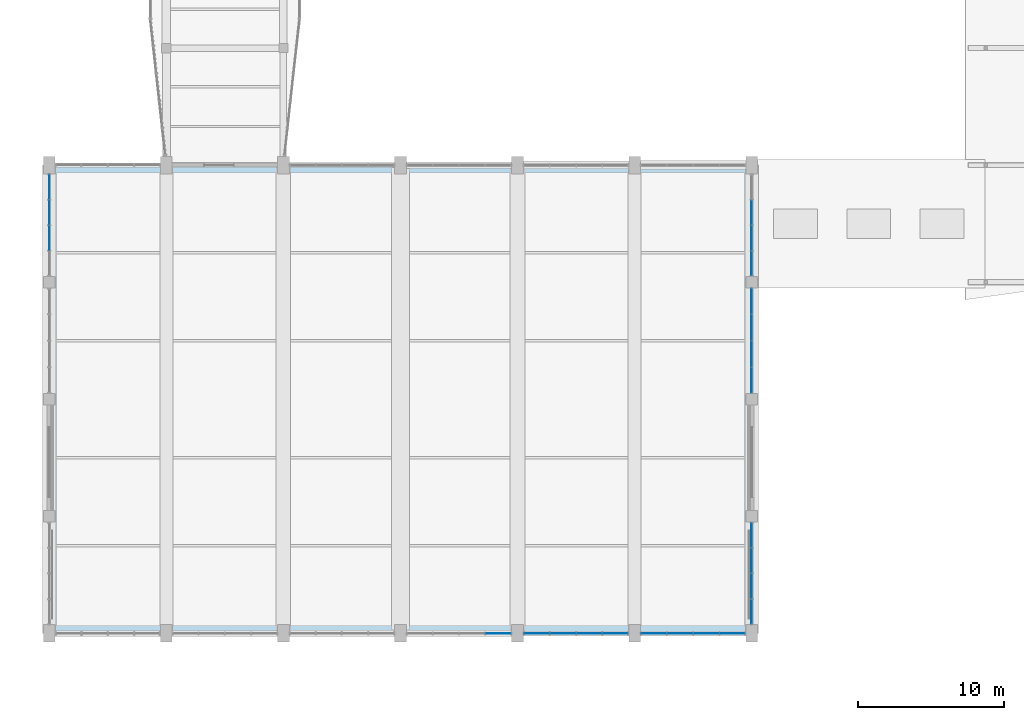
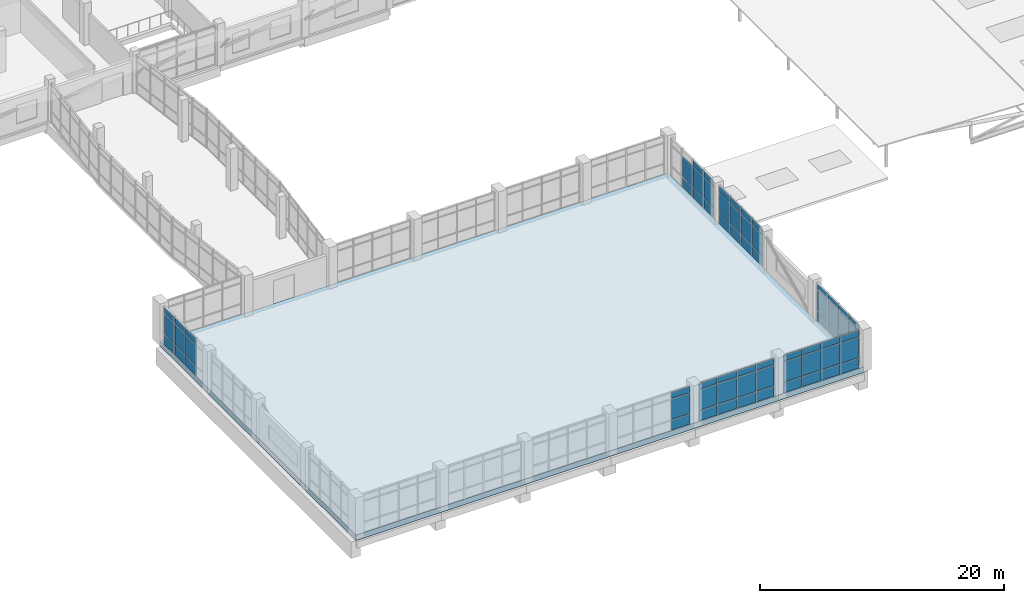
# One storey, part 53 of 84: 68 plates, 1 slab, 7 elements without a shape of their own.
"""IFC4 building model written with IfcOpenShell, lengths in metres."""

from ifc_helpers import new_model, si_unit, direction, frame, origin, origin_2d, place, context, subcontext, project, spatial, polyline, rectangle, outline, extrude, material, layer, layer_set, type_object, element, aggregate, save


model = new_model("IFC4")

# Units and contexts
model_context = context("Model", 3, precision=1e-05, world=origin(), true_north=direction((0.0, 1.0)))
body_context = subcontext(model_context, "Body", "Model", "MODEL_VIEW")
ifc_project = project(units=[si_unit("LENGTHUNIT", "METRE"), si_unit("AREAUNIT", "SQUARE_METRE"), si_unit("VOLUMEUNIT", "CUBIC_METRE"), si_unit("PLANEANGLEUNIT", "RADIAN"), si_unit("MASSUNIT", "GRAM", prefix="KILO")], contexts=[model_context])

# Site, building, storey
site_placement = place(None, origin())
site = spatial("IfcSite", under=ifc_project, at=site_placement, CompositionType="ELEMENT")
building_placement = place(site_placement, origin())
building = spatial("IfcBuilding", under=site, at=building_placement, Name="Tenunan Teduh Sports Hall", CompositionType="ELEMENT")
storey_placement = place(building_placement, frame((0.0, 0.0, 10.800048828125)))
storey = spatial("IfcBuildingStorey", under=building, at=storey_placement, Name="L02", CompositionType="ELEMENT", Elevation=10.800048828125)

# Curtain wall, plates
ifc_material_1 = material(Name="Anodised aluminium", Category="aluminium")
curtain_wall_type = type_object("IfcCurtainWallType", Name="CW-UNIT-2", PredefinedType="NOTDEFINED", material=ifc_material_1)
curtain_wall_1_placement = place(storey_placement, origin())
curtain_wall_1 = element("IfcCurtainWall", 1, at=curtain_wall_1_placement, inside=storey, type_object=curtain_wall_type, Name="CW-CWM-175-L02-062", PredefinedType="NOTDEFINED")
ifc_material_2 = material(Name="Low-E laminated double glazing", Category="glass")
ifc_layer_1 = layer(ifc_material_2, 0.028076171875)
ifc_layer_set_1 = layer_set([ifc_layer_1], Name="Low-E laminated double glazing")
plate_type_1 = type_object("IfcPlateType", Name="CWP-GLZ-28", PredefinedType="CURTAIN_PANEL", material=ifc_layer_set_1)
plate_1_placement = place(storey_placement, frame((36.683837890625, 14.0, 1.13232421875), z_axis=(0.0, 0.0, 1.0), x_axis=(1.0, 0.0, 0.0)))
plate_1 = element("IfcPlate", 2, at=plate_1_placement, type_object=plate_type_1, Name="CW-02 panel 4.2", PredefinedType="CURTAIN_PANEL", context=body_context, shape_type="SweptSolid", body=[
    extrude(rectangle(XDim=1.702392578125, YDim=0.028076171875, at=origin_2d()), origin(), (0.0, 0.0, 1.0), 2.034912109375),
])
plate_2_placement = place(storey_placement, frame((36.683837890625, 14.0, 3.232421875), z_axis=(0.0, 0.0, 1.0), x_axis=(1.0, 0.0, 0.0)))
plate_2 = element("IfcPlate", 3, at=plate_2_placement, type_object=plate_type_1, Name="CW-02 panel 4.3", PredefinedType="CURTAIN_PANEL", context=body_context, shape_type="SweptSolid", body=[
    extrude(rectangle(XDim=1.702392578125, YDim=0.028076171875, at=origin_2d()), origin(), (0.0, 0.0, 1.0), 0.6025390625),
])

curtain_wall_2_placement = place(storey_placement, origin())
curtain_wall_2 = element("IfcCurtainWall", 4, at=curtain_wall_2_placement, inside=storey, type_object=curtain_wall_type, Name="CW-CWM-200-L02-064", PredefinedType="NOTDEFINED")
plate_3_placement = place(storey_placement, frame((39.3173828125, 14.0, 1.134765625), z_axis=(0.0, 0.0, 1.0), x_axis=(1.0, 0.0, 0.0)))
plate_3 = element("IfcPlate", 5, at=plate_3_placement, type_object=plate_type_1, Name="CW-02 panel 1.2", PredefinedType="CURTAIN_PANEL", context=body_context, shape_type="SweptSolid", body=[
    extrude(rectangle(XDim=1.695068359375, YDim=0.028076171875, at=origin_2d()), origin(), (0.0, 0.0, 1.0), 2.030029296875),
])
plate_4_placement = place(storey_placement, frame((39.3173828125, 14.0, 3.23486328125), z_axis=(0.0, 0.0, 1.0), x_axis=(1.0, 0.0, 0.0)))
plate_4 = element("IfcPlate", 6, at=plate_4_placement, type_object=plate_type_1, Name="CW-02 panel 1.3", PredefinedType="CURTAIN_PANEL", context=body_context, shape_type="SweptSolid", body=[
    extrude(rectangle(XDim=1.695068359375, YDim=0.028076171875, at=origin_2d()), origin(), (0.0, 0.0, 1.0), 0.594970703125),
])
plate_5_placement = place(storey_placement, frame((41.10009765625, 14.0, 1.134765625), z_axis=(0.0, 0.0, 1.0), x_axis=(1.0, 0.0, 0.0)))
plate_5 = element("IfcPlate", 7, at=plate_5_placement, type_object=plate_type_1, Name="CW-02 panel 2.2", PredefinedType="CURTAIN_PANEL", context=body_context, shape_type="SweptSolid", body=[
    extrude(rectangle(XDim=1.72998046875, YDim=0.028076171875, at=origin_2d()), origin(), (0.0, 0.0, 1.0), 2.030029296875),
])
plate_6_placement = place(storey_placement, frame((41.10009765625, 14.0, 3.23486328125), z_axis=(0.0, 0.0, 1.0), x_axis=(1.0, 0.0, 0.0)))
plate_6 = element("IfcPlate", 8, at=plate_6_placement, type_object=plate_type_1, Name="CW-02 panel 2.3", PredefinedType="CURTAIN_PANEL", context=body_context, shape_type="SweptSolid", body=[
    extrude(rectangle(XDim=1.72998046875, YDim=0.028076171875, at=origin_2d()), origin(), (0.0, 0.0, 1.0), 0.594970703125),
])
plate_7_placement = place(storey_placement, frame((42.89990234375, 14.0, 1.134765625), z_axis=(0.0, 0.0, 1.0), x_axis=(1.0, 0.0, 0.0)))
plate_7 = element("IfcPlate", 9, at=plate_7_placement, type_object=plate_type_1, Name="CW-02 panel 3.2", PredefinedType="CURTAIN_PANEL", context=body_context, shape_type="SweptSolid", body=[
    extrude(rectangle(XDim=1.72998046875, YDim=0.028076171875, at=origin_2d()), origin(), (0.0, 0.0, 1.0), 2.030029296875),
])
plate_8_placement = place(storey_placement, frame((42.89990234375, 14.0, 3.23486328125), z_axis=(0.0, 0.0, 1.0), x_axis=(1.0, 0.0, 0.0)))
plate_8 = element("IfcPlate", 10, at=plate_8_placement, type_object=plate_type_1, Name="CW-02 panel 3.3", PredefinedType="CURTAIN_PANEL", context=body_context, shape_type="SweptSolid", body=[
    extrude(rectangle(XDim=1.72998046875, YDim=0.028076171875, at=origin_2d()), origin(), (0.0, 0.0, 1.0), 0.594970703125),
])
plate_9_placement = place(storey_placement, frame((44.6826171875, 14.0, 1.134765625), z_axis=(0.0, 0.0, 1.0), x_axis=(1.0, 0.0, 0.0)))
plate_9 = element("IfcPlate", 11, at=plate_9_placement, type_object=plate_type_1, Name="CW-02 panel 4.2", PredefinedType="CURTAIN_PANEL", context=body_context, shape_type="SweptSolid", body=[
    extrude(rectangle(XDim=1.695068359375, YDim=0.028076171875, at=origin_2d()), origin(), (0.0, 0.0, 1.0), 2.030029296875),
])
plate_10_placement = place(storey_placement, frame((44.6826171875, 14.0, 3.23486328125), z_axis=(0.0, 0.0, 1.0), x_axis=(1.0, 0.0, 0.0)))
plate_10 = element("IfcPlate", 12, at=plate_10_placement, type_object=plate_type_1, Name="CW-02 panel 4.3", PredefinedType="CURTAIN_PANEL", context=body_context, shape_type="SweptSolid", body=[
    extrude(rectangle(XDim=1.695068359375, YDim=0.028076171875, at=origin_2d()), origin(), (0.0, 0.0, 1.0), 0.594970703125),
])

curtain_wall_3_placement = place(storey_placement, origin())
curtain_wall_3 = element("IfcCurtainWall", 13, at=curtain_wall_3_placement, inside=storey, type_object=curtain_wall_type, Name="CW-CWM-175-L02-066", PredefinedType="NOTDEFINED")
plate_11_placement = place(storey_placement, frame((47.316162109375, 14.0, 1.13232421875), z_axis=(0.0, 0.0, 1.0), x_axis=(1.0, 0.0, 0.0)))
plate_11 = element("IfcPlate", 14, at=plate_11_placement, type_object=plate_type_1, Name="CW-02 panel 1.2", PredefinedType="CURTAIN_PANEL", context=body_context, shape_type="SweptSolid", body=[
    extrude(rectangle(XDim=1.702392578125, YDim=0.028076171875, at=origin_2d()), origin(), (0.0, 0.0, 1.0), 2.034912109375),
])
plate_12_placement = place(storey_placement, frame((47.316162109375, 14.0, 3.232421875), z_axis=(0.0, 0.0, 1.0), x_axis=(1.0, 0.0, 0.0)))
plate_12 = element("IfcPlate", 15, at=plate_12_placement, type_object=plate_type_1, Name="CW-02 panel 1.3", PredefinedType="CURTAIN_PANEL", context=body_context, shape_type="SweptSolid", body=[
    extrude(rectangle(XDim=1.702392578125, YDim=0.028076171875, at=origin_2d()), origin(), (0.0, 0.0, 1.0), 0.6025390625),
])
plate_13_placement = place(storey_placement, frame((49.10009765625, 14.0, 1.13232421875), z_axis=(0.0, 0.0, 1.0), x_axis=(1.0, 0.0, 0.0)))
plate_13 = element("IfcPlate", 16, at=plate_13_placement, type_object=plate_type_1, Name="CW-02 panel 2.2", PredefinedType="CURTAIN_PANEL", context=body_context, shape_type="SweptSolid", body=[
    extrude(rectangle(XDim=1.735107421875, YDim=0.028076171875, at=origin_2d()), origin(), (0.0, 0.0, 1.0), 2.034912109375),
])
plate_14_placement = place(storey_placement, frame((49.10009765625, 14.0, 3.232421875), z_axis=(0.0, 0.0, 1.0), x_axis=(1.0, 0.0, 0.0)))
plate_14 = element("IfcPlate", 17, at=plate_14_placement, type_object=plate_type_1, Name="CW-02 panel 2.3", PredefinedType="CURTAIN_PANEL", context=body_context, shape_type="SweptSolid", body=[
    extrude(rectangle(XDim=1.735107421875, YDim=0.028076171875, at=origin_2d()), origin(), (0.0, 0.0, 1.0), 0.6025390625),
])
plate_15_placement = place(storey_placement, frame((50.89990234375, 14.0, 1.13232421875), z_axis=(0.0, 0.0, 1.0), x_axis=(1.0, 0.0, 0.0)))
plate_15 = element("IfcPlate", 18, at=plate_15_placement, type_object=plate_type_1, Name="CW-02 panel 3.2", PredefinedType="CURTAIN_PANEL", context=body_context, shape_type="SweptSolid", body=[
    extrude(rectangle(XDim=1.735107421875, YDim=0.028076171875, at=origin_2d()), origin(), (0.0, 0.0, 1.0), 2.034912109375),
])
plate_16_placement = place(storey_placement, frame((50.89990234375, 14.0, 3.232421875), z_axis=(0.0, 0.0, 1.0), x_axis=(1.0, 0.0, 0.0)))
plate_16 = element("IfcPlate", 19, at=plate_16_placement, type_object=plate_type_1, Name="CW-02 panel 3.3", PredefinedType="CURTAIN_PANEL", context=body_context, shape_type="SweptSolid", body=[
    extrude(rectangle(XDim=1.735107421875, YDim=0.028076171875, at=origin_2d()), origin(), (0.0, 0.0, 1.0), 0.6025390625),
])
plate_17_placement = place(storey_placement, frame((52.683837890625, 14.0, 1.13232421875), z_axis=(0.0, 0.0, 1.0), x_axis=(1.0, 0.0, 0.0)))
plate_17 = element("IfcPlate", 20, at=plate_17_placement, type_object=plate_type_1, Name="CW-02 panel 4.2", PredefinedType="CURTAIN_PANEL", context=body_context, shape_type="SweptSolid", body=[
    extrude(rectangle(XDim=1.702392578125, YDim=0.028076171875, at=origin_2d()), origin(), (0.0, 0.0, 1.0), 2.034912109375),
])
plate_18_placement = place(storey_placement, frame((52.683837890625, 14.0, 3.232421875), z_axis=(0.0, 0.0, 1.0), x_axis=(1.0, 0.0, 0.0)))
plate_18 = element("IfcPlate", 21, at=plate_18_placement, type_object=plate_type_1, Name="CW-02 panel 4.3", PredefinedType="CURTAIN_PANEL", context=body_context, shape_type="SweptSolid", body=[
    extrude(rectangle(XDim=1.702392578125, YDim=0.028076171875, at=origin_2d()), origin(), (0.0, 0.0, 1.0), 0.6025390625),
])

curtain_wall_4_placement = place(storey_placement, origin())
curtain_wall_4 = element("IfcCurtainWall", 22, at=curtain_wall_4_placement, inside=storey, type_object=curtain_wall_type, Name="CW-CWM-200-L02-072", PredefinedType="NOTDEFINED")
plate_19_placement = place(storey_placement, frame((6.0, 41.02490234375, 1.134765625), z_axis=(0.0, 0.0, 1.0), x_axis=(0.0, 1.0, 0.0)))
plate_19 = element("IfcPlate", 23, at=plate_19_placement, type_object=plate_type_1, Name="CW-02 panel 2.2", PredefinedType="CURTAIN_PANEL", context=body_context, shape_type="SweptSolid", body=[
    extrude(rectangle(XDim=1.679931640625, YDim=0.028076171875, at=origin_2d()), origin(), (0.0, 0.0, 1.0), 2.030029296875),
])
plate_20_placement = place(storey_placement, frame((6.0, 41.02490234375, 3.23486328125), z_axis=(0.0, 0.0, 1.0), x_axis=(0.0, 1.0, 0.0)))
plate_20 = element("IfcPlate", 24, at=plate_20_placement, type_object=plate_type_1, Name="CW-02 panel 2.3", PredefinedType="CURTAIN_PANEL", context=body_context, shape_type="SweptSolid", body=[
    extrude(rectangle(XDim=1.679931640625, YDim=0.028076171875, at=origin_2d()), origin(), (0.0, 0.0, 1.0), 0.594970703125),
])
plate_21_placement = place(storey_placement, frame((6.0, 42.77490234375, 1.134765625), z_axis=(0.0, 0.0, 1.0), x_axis=(0.0, 1.0, 0.0)))
plate_21 = element("IfcPlate", 25, at=plate_21_placement, type_object=plate_type_1, Name="CW-02 panel 3.2", PredefinedType="CURTAIN_PANEL", context=body_context, shape_type="SweptSolid", body=[
    extrude(rectangle(XDim=1.679931640625, YDim=0.028076171875, at=origin_2d()), origin(), (0.0, 0.0, 1.0), 2.030029296875),
])
plate_22_placement = place(storey_placement, frame((6.0, 42.77490234375, 3.23486328125), z_axis=(0.0, 0.0, 1.0), x_axis=(0.0, 1.0, 0.0)))
plate_22 = element("IfcPlate", 26, at=plate_22_placement, type_object=plate_type_1, Name="CW-02 panel 3.3", PredefinedType="CURTAIN_PANEL", context=body_context, shape_type="SweptSolid", body=[
    extrude(rectangle(XDim=1.679931640625, YDim=0.028076171875, at=origin_2d()), origin(), (0.0, 0.0, 1.0), 0.594970703125),
])
plate_23_placement = place(storey_placement, frame((6.0, 44.507568359375, 1.134765625), z_axis=(0.0, 0.0, 1.0), x_axis=(0.0, 1.0, 0.0)))
plate_23 = element("IfcPlate", 27, at=plate_23_placement, type_object=plate_type_1, Name="CW-02 panel 4.2", PredefinedType="CURTAIN_PANEL", context=body_context, shape_type="SweptSolid", body=[
    extrude(rectangle(XDim=1.64501953125, YDim=0.028076171875, at=origin_2d()), origin(), (0.0, 0.0, 1.0), 2.030029296875),
])
plate_24_placement = place(storey_placement, frame((6.0, 44.507568359375, 3.23486328125), z_axis=(0.0, 0.0, 1.0), x_axis=(0.0, 1.0, 0.0)))
plate_24 = element("IfcPlate", 28, at=plate_24_placement, type_object=plate_type_1, Name="CW-02 panel 4.3", PredefinedType="CURTAIN_PANEL", context=body_context, shape_type="SweptSolid", body=[
    extrude(rectangle(XDim=1.64501953125, YDim=0.028076171875, at=origin_2d()), origin(), (0.0, 0.0, 1.0), 0.594970703125),
])

curtain_wall_5_placement = place(storey_placement, origin())
curtain_wall_5 = element("IfcCurtainWall", 29, at=curtain_wall_5_placement, inside=storey, type_object=curtain_wall_type, Name="CW-CWM-220-L02-069", PredefinedType="NOTDEFINED")
ifc_material_3 = material(Name="Solar-control laminated glazing", Category="glass")
ifc_layer_2 = layer(ifc_material_3, 0.031982421875)
ifc_layer_set_2 = layer_set([ifc_layer_2], Name="Solar-control laminated glazing")
plate_type_2 = type_object("IfcPlateType", Name="CWP-GLZ-32", PredefinedType="CURTAIN_PANEL", material=ifc_layer_set_2)
plate_25_placement = place(storey_placement, frame((54.0, 15.49365234375, 1.137451171875), z_axis=(0.0, 0.0, 1.0), x_axis=(0.0, 1.0, 0.0)))
plate_25 = element("IfcPlate", 30, at=plate_25_placement, type_object=plate_type_2, Name="CW-02 panel 1.2", PredefinedType="CURTAIN_PANEL", context=body_context, shape_type="SweptSolid", body=[
    extrude(rectangle(XDim=1.637451171875, YDim=0.031982421875, at=origin_2d()), origin(), (0.0, 0.0, 1.0), 2.02490234375),
])
plate_26_placement = place(storey_placement, frame((54.0, 15.49365234375, 3.237548828125), z_axis=(0.0, 0.0, 1.0), x_axis=(0.0, 1.0, 0.0)))
plate_26 = element("IfcPlate", 31, at=plate_26_placement, type_object=plate_type_2, Name="CW-02 panel 1.3", PredefinedType="CURTAIN_PANEL", context=body_context, shape_type="SweptSolid", body=[
    extrude(rectangle(XDim=1.637451171875, YDim=0.031982421875, at=origin_2d()), origin(), (0.0, 0.0, 1.0), 0.58740234375),
])
plate_27_placement = place(storey_placement, frame((54.0, 17.22509765625, 1.137451171875), z_axis=(0.0, 0.0, 1.0), x_axis=(0.0, 1.0, 0.0)))
plate_27 = element("IfcPlate", 32, at=plate_27_placement, type_object=plate_type_2, Name="CW-02 panel 2.2", PredefinedType="CURTAIN_PANEL", context=body_context, shape_type="SweptSolid", body=[
    extrude(rectangle(XDim=1.675048828125, YDim=0.031982421875, at=origin_2d()), origin(), (0.0, 0.0, 1.0), 2.02490234375),
])
plate_28_placement = place(storey_placement, frame((54.0, 17.22509765625, 3.237548828125), z_axis=(0.0, 0.0, 1.0), x_axis=(0.0, 1.0, 0.0)))
plate_28 = element("IfcPlate", 33, at=plate_28_placement, type_object=plate_type_2, Name="CW-02 panel 2.3", PredefinedType="CURTAIN_PANEL", context=body_context, shape_type="SweptSolid", body=[
    extrude(rectangle(XDim=1.675048828125, YDim=0.031982421875, at=origin_2d()), origin(), (0.0, 0.0, 1.0), 0.58740234375),
])
plate_29_placement = place(storey_placement, frame((54.0, 18.97509765625, 1.137451171875), z_axis=(0.0, 0.0, 1.0), x_axis=(0.0, 1.0, 0.0)))
plate_29 = element("IfcPlate", 34, at=plate_29_placement, type_object=plate_type_2, Name="CW-02 panel 3.2", PredefinedType="CURTAIN_PANEL", context=body_context, shape_type="SweptSolid", body=[
    extrude(rectangle(XDim=1.675048828125, YDim=0.031982421875, at=origin_2d()), origin(), (0.0, 0.0, 1.0), 2.02490234375),
])
plate_30_placement = place(storey_placement, frame((54.0, 18.97509765625, 3.237548828125), z_axis=(0.0, 0.0, 1.0), x_axis=(0.0, 1.0, 0.0)))
plate_30 = element("IfcPlate", 35, at=plate_30_placement, type_object=plate_type_2, Name="CW-02 panel 3.3", PredefinedType="CURTAIN_PANEL", context=body_context, shape_type="SweptSolid", body=[
    extrude(rectangle(XDim=1.675048828125, YDim=0.031982421875, at=origin_2d()), origin(), (0.0, 0.0, 1.0), 0.58740234375),
])
plate_31_placement = place(storey_placement, frame((54.0, 20.706298828125, 1.137451171875), z_axis=(0.0, 0.0, 1.0), x_axis=(0.0, 1.0, 0.0)))
plate_31 = element("IfcPlate", 36, at=plate_31_placement, type_object=plate_type_2, Name="CW-02 panel 4.2", PredefinedType="CURTAIN_PANEL", context=body_context, shape_type="SweptSolid", body=[
    extrude(rectangle(XDim=1.637451171875, YDim=0.031982421875, at=origin_2d()), origin(), (0.0, 0.0, 1.0), 2.02490234375),
])
plate_32_placement = place(storey_placement, frame((54.0, 20.706298828125, 3.237548828125), z_axis=(0.0, 0.0, 1.0), x_axis=(0.0, 1.0, 0.0)))
plate_32 = element("IfcPlate", 37, at=plate_32_placement, type_object=plate_type_2, Name="CW-02 panel 4.3", PredefinedType="CURTAIN_PANEL", context=body_context, shape_type="SweptSolid", body=[
    extrude(rectangle(XDim=1.637451171875, YDim=0.031982421875, at=origin_2d()), origin(), (0.0, 0.0, 1.0), 0.58740234375),
])

curtain_wall_6_placement = place(storey_placement, origin())
curtain_wall_6 = element("IfcCurtainWall", 38, at=curtain_wall_6_placement, inside=storey, type_object=curtain_wall_type, Name="CW-CWM-150-L02-071", PredefinedType="NOTDEFINED")
plate_33_placement = place(storey_placement, frame((54.0, 31.31494140625, 1.1298828125), z_axis=(0.0, 0.0, 1.0), x_axis=(0.0, 1.0, 0.0)))
plate_33 = element("IfcPlate", 39, at=plate_33_placement, type_object=plate_type_2, Name="CW-02 panel 1.2", PredefinedType="CURTAIN_PANEL", context=body_context, shape_type="SweptSolid", body=[
    extrude(rectangle(XDim=1.7099609375, YDim=0.031982421875, at=origin_2d()), origin(), (0.0, 0.0, 1.0), 2.0400390625),
])
plate_34_placement = place(storey_placement, frame((54.0, 31.31494140625, 3.22998046875), z_axis=(0.0, 0.0, 1.0), x_axis=(0.0, 1.0, 0.0)))
plate_34 = element("IfcPlate", 40, at=plate_34_placement, type_object=plate_type_2, Name="CW-02 panel 1.3", PredefinedType="CURTAIN_PANEL", context=body_context, shape_type="SweptSolid", body=[
    extrude(rectangle(XDim=1.7099609375, YDim=0.031982421875, at=origin_2d()), origin(), (0.0, 0.0, 1.0), 0.610107421875),
])
plate_35_placement = place(storey_placement, frame((54.0, 33.10009765625, 1.1298828125), z_axis=(0.0, 0.0, 1.0), x_axis=(0.0, 1.0, 0.0)))
plate_35 = element("IfcPlate", 41, at=plate_35_placement, type_object=plate_type_2, Name="CW-02 panel 2.2", PredefinedType="CURTAIN_PANEL", context=body_context, shape_type="SweptSolid", body=[
    extrude(rectangle(XDim=1.739990234375, YDim=0.031982421875, at=origin_2d()), origin(), (0.0, 0.0, 1.0), 2.0400390625),
])
plate_36_placement = place(storey_placement, frame((54.0, 33.10009765625, 3.22998046875), z_axis=(0.0, 0.0, 1.0), x_axis=(0.0, 1.0, 0.0)))
plate_36 = element("IfcPlate", 42, at=plate_36_placement, type_object=plate_type_2, Name="CW-02 panel 2.3", PredefinedType="CURTAIN_PANEL", context=body_context, shape_type="SweptSolid", body=[
    extrude(rectangle(XDim=1.739990234375, YDim=0.031982421875, at=origin_2d()), origin(), (0.0, 0.0, 1.0), 0.610107421875),
])
plate_37_placement = place(storey_placement, frame((54.0, 34.89990234375, 1.1298828125), z_axis=(0.0, 0.0, 1.0), x_axis=(0.0, 1.0, 0.0)))
plate_37 = element("IfcPlate", 43, at=plate_37_placement, type_object=plate_type_2, Name="CW-02 panel 3.2", PredefinedType="CURTAIN_PANEL", context=body_context, shape_type="SweptSolid", body=[
    extrude(rectangle(XDim=1.739990234375, YDim=0.031982421875, at=origin_2d()), origin(), (0.0, 0.0, 1.0), 2.0400390625),
])
plate_38_placement = place(storey_placement, frame((54.0, 34.89990234375, 3.22998046875), z_axis=(0.0, 0.0, 1.0), x_axis=(0.0, 1.0, 0.0)))
plate_38 = element("IfcPlate", 44, at=plate_38_placement, type_object=plate_type_2, Name="CW-02 panel 3.3", PredefinedType="CURTAIN_PANEL", context=body_context, shape_type="SweptSolid", body=[
    extrude(rectangle(XDim=1.739990234375, YDim=0.031982421875, at=origin_2d()), origin(), (0.0, 0.0, 1.0), 0.610107421875),
])
plate_39_placement = place(storey_placement, frame((54.0, 36.68505859375, 1.1298828125), z_axis=(0.0, 0.0, 1.0), x_axis=(0.0, 1.0, 0.0)))
plate_39 = element("IfcPlate", 45, at=plate_39_placement, type_object=plate_type_2, Name="CW-02 panel 4.2", PredefinedType="CURTAIN_PANEL", context=body_context, shape_type="SweptSolid", body=[
    extrude(rectangle(XDim=1.7099609375, YDim=0.031982421875, at=origin_2d()), origin(), (0.0, 0.0, 1.0), 2.0400390625),
])
plate_40_placement = place(storey_placement, frame((54.0, 36.68505859375, 3.22998046875), z_axis=(0.0, 0.0, 1.0), x_axis=(0.0, 1.0, 0.0)))
plate_40 = element("IfcPlate", 46, at=plate_40_placement, type_object=plate_type_2, Name="CW-02 panel 4.3", PredefinedType="CURTAIN_PANEL", context=body_context, shape_type="SweptSolid", body=[
    extrude(rectangle(XDim=1.7099609375, YDim=0.031982421875, at=origin_2d()), origin(), (0.0, 0.0, 1.0), 0.610107421875),
])

curtain_wall_7_placement = place(storey_placement, origin())
curtain_wall_7 = element("IfcCurtainWall", 47, at=curtain_wall_7_placement, inside=storey, type_object=curtain_wall_type, Name="CW-CWM-220-L02-073", PredefinedType="NOTDEFINED")
plate_41_placement = place(storey_placement, frame((54.0, 39.293701171875, 1.137451171875), z_axis=(0.0, 0.0, 1.0), x_axis=(0.0, 1.0, 0.0)))
plate_41 = element("IfcPlate", 48, at=plate_41_placement, type_object=plate_type_2, Name="CW-02 panel 1.2", PredefinedType="CURTAIN_PANEL", context=body_context, shape_type="SweptSolid", body=[
    extrude(rectangle(XDim=1.637451171875, YDim=0.031982421875, at=origin_2d()), origin(), (0.0, 0.0, 1.0), 2.02490234375),
])
plate_42_placement = place(storey_placement, frame((54.0, 39.293701171875, 3.237548828125), z_axis=(0.0, 0.0, 1.0), x_axis=(0.0, 1.0, 0.0)))
plate_42 = element("IfcPlate", 49, at=plate_42_placement, type_object=plate_type_2, Name="CW-02 panel 1.3", PredefinedType="CURTAIN_PANEL", context=body_context, shape_type="SweptSolid", body=[
    extrude(rectangle(XDim=1.637451171875, YDim=0.031982421875, at=origin_2d()), origin(), (0.0, 0.0, 1.0), 0.58740234375),
])
plate_43_placement = place(storey_placement, frame((54.0, 41.02490234375, 1.137451171875), z_axis=(0.0, 0.0, 1.0), x_axis=(0.0, 1.0, 0.0)))
plate_43 = element("IfcPlate", 50, at=plate_43_placement, type_object=plate_type_2, Name="CW-02 panel 2.2", PredefinedType="CURTAIN_PANEL", context=body_context, shape_type="SweptSolid", body=[
    extrude(rectangle(XDim=1.675048828125, YDim=0.031982421875, at=origin_2d()), origin(), (0.0, 0.0, 1.0), 2.02490234375),
])
plate_44_placement = place(storey_placement, frame((54.0, 41.02490234375, 3.237548828125), z_axis=(0.0, 0.0, 1.0), x_axis=(0.0, 1.0, 0.0)))
plate_44 = element("IfcPlate", 51, at=plate_44_placement, type_object=plate_type_2, Name="CW-02 panel 2.3", PredefinedType="CURTAIN_PANEL", context=body_context, shape_type="SweptSolid", body=[
    extrude(rectangle(XDim=1.675048828125, YDim=0.031982421875, at=origin_2d()), origin(), (0.0, 0.0, 1.0), 0.58740234375),
])
plate_45_placement = place(storey_placement, frame((54.0, 42.77490234375, 1.137451171875), z_axis=(0.0, 0.0, 1.0), x_axis=(0.0, 1.0, 0.0)))
plate_45 = element("IfcPlate", 52, at=plate_45_placement, type_object=plate_type_2, Name="CW-02 panel 3.2", PredefinedType="CURTAIN_PANEL", context=body_context, shape_type="SweptSolid", body=[
    extrude(rectangle(XDim=1.675048828125, YDim=0.031982421875, at=origin_2d()), origin(), (0.0, 0.0, 1.0), 2.02490234375),
])

# Plate
ifc_material_4 = material(Name="Insulated aluminium spandrel panel", Category="aluminium")
ifc_layer_3 = layer(ifc_material_4, 0.044921875)
ifc_layer_set_3 = layer_set([ifc_layer_3], Name="Insulated aluminium spandrel panel")
plate_type_3 = type_object("IfcPlateType", Name="CWP-SPN-45", PredefinedType="CURTAIN_PANEL", material=ifc_layer_set_3)
plate_46_placement = place(storey_placement, frame((36.683837890625, 14.0, 0.06494140625), z_axis=(0.0, 0.0, 1.0), x_axis=(1.0, 0.0, 0.0)))
plate_46 = element("IfcPlate", 53, at=plate_46_placement, type_object=plate_type_3, Name="CW-02 panel 4.1", PredefinedType="CURTAIN_PANEL", context=body_context, shape_type="SweptSolid", body=[
    extrude(rectangle(XDim=1.702392578125, YDim=0.028076171875, at=origin_2d()), origin(), (0.0, 0.0, 1.0), 1.00244140625),
])

aggregate(curtain_wall_1, [plate_46, plate_1, plate_2])

plate_47_placement = place(storey_placement, frame((39.3173828125, 14.0, 0.06982421875), z_axis=(0.0, 0.0, 1.0), x_axis=(1.0, 0.0, 0.0)))
plate_47 = element("IfcPlate", 54, at=plate_47_placement, type_object=plate_type_3, Name="CW-02 panel 1.1", PredefinedType="CURTAIN_PANEL", context=body_context, shape_type="SweptSolid", body=[
    extrude(rectangle(XDim=1.695068359375, YDim=0.028076171875, at=origin_2d()), origin(), (0.0, 0.0, 1.0), 0.9951171875),
])

plate_48_placement = place(storey_placement, frame((41.10009765625, 14.0, 0.06982421875), z_axis=(0.0, 0.0, 1.0), x_axis=(1.0, 0.0, 0.0)))
plate_48 = element("IfcPlate", 55, at=plate_48_placement, type_object=plate_type_3, Name="CW-02 panel 2.1", PredefinedType="CURTAIN_PANEL", context=body_context, shape_type="SweptSolid", body=[
    extrude(rectangle(XDim=1.72998046875, YDim=0.028076171875, at=origin_2d()), origin(), (0.0, 0.0, 1.0), 0.9951171875),
])

plate_49_placement = place(storey_placement, frame((42.89990234375, 14.0, 0.06982421875), z_axis=(0.0, 0.0, 1.0), x_axis=(1.0, 0.0, 0.0)))
plate_49 = element("IfcPlate", 56, at=plate_49_placement, type_object=plate_type_3, Name="CW-02 panel 3.1", PredefinedType="CURTAIN_PANEL", context=body_context, shape_type="SweptSolid", body=[
    extrude(rectangle(XDim=1.72998046875, YDim=0.028076171875, at=origin_2d()), origin(), (0.0, 0.0, 1.0), 0.9951171875),
])

plate_50_placement = place(storey_placement, frame((44.6826171875, 14.0, 0.06982421875), z_axis=(0.0, 0.0, 1.0), x_axis=(1.0, 0.0, 0.0)))
plate_50 = element("IfcPlate", 57, at=plate_50_placement, type_object=plate_type_3, Name="CW-02 panel 4.1", PredefinedType="CURTAIN_PANEL", context=body_context, shape_type="SweptSolid", body=[
    extrude(rectangle(XDim=1.695068359375, YDim=0.028076171875, at=origin_2d()), origin(), (0.0, 0.0, 1.0), 0.9951171875),
])

aggregate(curtain_wall_2, [plate_47, plate_3, plate_4, plate_48, plate_5, plate_6, plate_49, plate_7, plate_8, plate_50, plate_9, plate_10])

plate_51_placement = place(storey_placement, frame((47.316162109375, 14.0, 0.06494140625), z_axis=(0.0, 0.0, 1.0), x_axis=(1.0, 0.0, 0.0)))
plate_51 = element("IfcPlate", 58, at=plate_51_placement, type_object=plate_type_3, Name="CW-02 panel 1.1", PredefinedType="CURTAIN_PANEL", context=body_context, shape_type="SweptSolid", body=[
    extrude(rectangle(XDim=1.702392578125, YDim=0.028076171875, at=origin_2d()), origin(), (0.0, 0.0, 1.0), 1.00244140625),
])

plate_52_placement = place(storey_placement, frame((49.10009765625, 14.0, 0.06494140625), z_axis=(0.0, 0.0, 1.0), x_axis=(1.0, 0.0, 0.0)))
plate_52 = element("IfcPlate", 59, at=plate_52_placement, type_object=plate_type_3, Name="CW-02 panel 2.1", PredefinedType="CURTAIN_PANEL", context=body_context, shape_type="SweptSolid", body=[
    extrude(rectangle(XDim=1.735107421875, YDim=0.028076171875, at=origin_2d()), origin(), (0.0, 0.0, 1.0), 1.00244140625),
])

plate_53_placement = place(storey_placement, frame((50.89990234375, 14.0, 0.06494140625), z_axis=(0.0, 0.0, 1.0), x_axis=(1.0, 0.0, 0.0)))
plate_53 = element("IfcPlate", 60, at=plate_53_placement, type_object=plate_type_3, Name="CW-02 panel 3.1", PredefinedType="CURTAIN_PANEL", context=body_context, shape_type="SweptSolid", body=[
    extrude(rectangle(XDim=1.735107421875, YDim=0.028076171875, at=origin_2d()), origin(), (0.0, 0.0, 1.0), 1.00244140625),
])

plate_54_placement = place(storey_placement, frame((52.683837890625, 14.0, 0.06494140625), z_axis=(0.0, 0.0, 1.0), x_axis=(1.0, 0.0, 0.0)))
plate_54 = element("IfcPlate", 61, at=plate_54_placement, type_object=plate_type_3, Name="CW-02 panel 4.1", PredefinedType="CURTAIN_PANEL", context=body_context, shape_type="SweptSolid", body=[
    extrude(rectangle(XDim=1.702392578125, YDim=0.028076171875, at=origin_2d()), origin(), (0.0, 0.0, 1.0), 1.00244140625),
])

aggregate(curtain_wall_3, [plate_51, plate_11, plate_12, plate_52, plate_13, plate_14, plate_53, plate_15, plate_16, plate_54, plate_17, plate_18])

plate_55_placement = place(storey_placement, frame((54.0, 15.49365234375, 0.07470703125), z_axis=(0.0, 0.0, 1.0), x_axis=(0.0, 1.0, 0.0)))
plate_55 = element("IfcPlate", 62, at=plate_55_placement, type_object=plate_type_3, Name="CW-02 panel 1.1", PredefinedType="CURTAIN_PANEL", context=body_context, shape_type="SweptSolid", body=[
    extrude(rectangle(XDim=1.637451171875, YDim=0.031982421875, at=origin_2d()), origin(), (0.0, 0.0, 1.0), 0.987548828125),
])

plate_56_placement = place(storey_placement, frame((54.0, 17.22509765625, 0.07470703125), z_axis=(0.0, 0.0, 1.0), x_axis=(0.0, 1.0, 0.0)))
plate_56 = element("IfcPlate", 63, at=plate_56_placement, type_object=plate_type_3, Name="CW-02 panel 2.1", PredefinedType="CURTAIN_PANEL", context=body_context, shape_type="SweptSolid", body=[
    extrude(rectangle(XDim=1.675048828125, YDim=0.031982421875, at=origin_2d()), origin(), (0.0, 0.0, 1.0), 0.987548828125),
])

plate_57_placement = place(storey_placement, frame((54.0, 18.97509765625, 0.07470703125), z_axis=(0.0, 0.0, 1.0), x_axis=(0.0, 1.0, 0.0)))
plate_57 = element("IfcPlate", 64, at=plate_57_placement, type_object=plate_type_3, Name="CW-02 panel 3.1", PredefinedType="CURTAIN_PANEL", context=body_context, shape_type="SweptSolid", body=[
    extrude(rectangle(XDim=1.675048828125, YDim=0.031982421875, at=origin_2d()), origin(), (0.0, 0.0, 1.0), 0.987548828125),
])

plate_58_placement = place(storey_placement, frame((54.0, 20.706298828125, 0.07470703125), z_axis=(0.0, 0.0, 1.0), x_axis=(0.0, 1.0, 0.0)))
plate_58 = element("IfcPlate", 65, at=plate_58_placement, type_object=plate_type_3, Name="CW-02 panel 4.1", PredefinedType="CURTAIN_PANEL", context=body_context, shape_type="SweptSolid", body=[
    extrude(rectangle(XDim=1.637451171875, YDim=0.031982421875, at=origin_2d()), origin(), (0.0, 0.0, 1.0), 0.987548828125),
])

aggregate(curtain_wall_5, [plate_55, plate_25, plate_26, plate_56, plate_27, plate_28, plate_57, plate_29, plate_30, plate_58, plate_31, plate_32])

plate_59_placement = place(storey_placement, frame((54.0, 31.31494140625, 0.06005859375), z_axis=(0.0, 0.0, 1.0), x_axis=(0.0, 1.0, 0.0)))
plate_59 = element("IfcPlate", 66, at=plate_59_placement, type_object=plate_type_3, Name="CW-02 panel 1.1", PredefinedType="CURTAIN_PANEL", context=body_context, shape_type="SweptSolid", body=[
    extrude(rectangle(XDim=1.7099609375, YDim=0.031982421875, at=origin_2d()), origin(), (0.0, 0.0, 1.0), 1.010009765625),
])

plate_60_placement = place(storey_placement, frame((54.0, 33.10009765625, 0.06005859375), z_axis=(0.0, 0.0, 1.0), x_axis=(0.0, 1.0, 0.0)))
plate_60 = element("IfcPlate", 67, at=plate_60_placement, type_object=plate_type_3, Name="CW-02 panel 2.1", PredefinedType="CURTAIN_PANEL", context=body_context, shape_type="SweptSolid", body=[
    extrude(rectangle(XDim=1.739990234375, YDim=0.031982421875, at=origin_2d()), origin(), (0.0, 0.0, 1.0), 1.010009765625),
])

plate_61_placement = place(storey_placement, frame((54.0, 34.89990234375, 0.06005859375), z_axis=(0.0, 0.0, 1.0), x_axis=(0.0, 1.0, 0.0)))
plate_61 = element("IfcPlate", 68, at=plate_61_placement, type_object=plate_type_3, Name="CW-02 panel 3.1", PredefinedType="CURTAIN_PANEL", context=body_context, shape_type="SweptSolid", body=[
    extrude(rectangle(XDim=1.739990234375, YDim=0.031982421875, at=origin_2d()), origin(), (0.0, 0.0, 1.0), 1.010009765625),
])

plate_62_placement = place(storey_placement, frame((54.0, 36.68505859375, 0.06005859375), z_axis=(0.0, 0.0, 1.0), x_axis=(0.0, 1.0, 0.0)))
plate_62 = element("IfcPlate", 69, at=plate_62_placement, type_object=plate_type_3, Name="CW-02 panel 4.1", PredefinedType="CURTAIN_PANEL", context=body_context, shape_type="SweptSolid", body=[
    extrude(rectangle(XDim=1.7099609375, YDim=0.031982421875, at=origin_2d()), origin(), (0.0, 0.0, 1.0), 1.010009765625),
])

aggregate(curtain_wall_6, [plate_59, plate_33, plate_34, plate_60, plate_35, plate_36, plate_61, plate_37, plate_38, plate_62, plate_39, plate_40])

plate_63_placement = place(storey_placement, frame((6.0, 41.02490234375, 0.06982421875), z_axis=(0.0, 0.0, 1.0), x_axis=(0.0, 1.0, 0.0)))
plate_63 = element("IfcPlate", 70, at=plate_63_placement, type_object=plate_type_3, Name="CW-02 panel 2.1", PredefinedType="CURTAIN_PANEL", context=body_context, shape_type="SweptSolid", body=[
    extrude(rectangle(XDim=1.679931640625, YDim=0.028076171875, at=origin_2d()), origin(), (0.0, 0.0, 1.0), 0.9951171875),
])

plate_64_placement = place(storey_placement, frame((6.0, 42.77490234375, 0.06982421875), z_axis=(0.0, 0.0, 1.0), x_axis=(0.0, 1.0, 0.0)))
plate_64 = element("IfcPlate", 71, at=plate_64_placement, type_object=plate_type_3, Name="CW-02 panel 3.1", PredefinedType="CURTAIN_PANEL", context=body_context, shape_type="SweptSolid", body=[
    extrude(rectangle(XDim=1.679931640625, YDim=0.028076171875, at=origin_2d()), origin(), (0.0, 0.0, 1.0), 0.9951171875),
])

plate_65_placement = place(storey_placement, frame((6.0, 44.507568359375, 0.06982421875), z_axis=(0.0, 0.0, 1.0), x_axis=(0.0, 1.0, 0.0)))
plate_65 = element("IfcPlate", 72, at=plate_65_placement, type_object=plate_type_3, Name="CW-02 panel 4.1", PredefinedType="CURTAIN_PANEL", context=body_context, shape_type="SweptSolid", body=[
    extrude(rectangle(XDim=1.64501953125, YDim=0.028076171875, at=origin_2d()), origin(), (0.0, 0.0, 1.0), 0.9951171875),
])

aggregate(curtain_wall_4, [plate_63, plate_19, plate_20, plate_64, plate_21, plate_22, plate_65, plate_23, plate_24])

plate_66_placement = place(storey_placement, frame((54.0, 39.293701171875, 0.07470703125), z_axis=(0.0, 0.0, 1.0), x_axis=(0.0, 1.0, 0.0)))
plate_66 = element("IfcPlate", 73, at=plate_66_placement, type_object=plate_type_3, Name="CW-02 panel 1.1", PredefinedType="CURTAIN_PANEL", context=body_context, shape_type="SweptSolid", body=[
    extrude(rectangle(XDim=1.637451171875, YDim=0.031982421875, at=origin_2d()), origin(), (0.0, 0.0, 1.0), 0.987548828125),
])

plate_67_placement = place(storey_placement, frame((54.0, 41.02490234375, 0.07470703125), z_axis=(0.0, 0.0, 1.0), x_axis=(0.0, 1.0, 0.0)))
plate_67 = element("IfcPlate", 74, at=plate_67_placement, type_object=plate_type_3, Name="CW-02 panel 2.1", PredefinedType="CURTAIN_PANEL", context=body_context, shape_type="SweptSolid", body=[
    extrude(rectangle(XDim=1.675048828125, YDim=0.031982421875, at=origin_2d()), origin(), (0.0, 0.0, 1.0), 0.987548828125),
])

plate_68_placement = place(storey_placement, frame((54.0, 42.77490234375, 0.07470703125), z_axis=(0.0, 0.0, 1.0), x_axis=(0.0, 1.0, 0.0)))
plate_68 = element("IfcPlate", 75, at=plate_68_placement, type_object=plate_type_3, Name="CW-02 panel 3.1", PredefinedType="CURTAIN_PANEL", context=body_context, shape_type="SweptSolid", body=[
    extrude(rectangle(XDim=1.675048828125, YDim=0.031982421875, at=origin_2d()), origin(), (0.0, 0.0, 1.0), 0.987548828125),
])

aggregate(curtain_wall_7, [plate_66, plate_41, plate_42, plate_67, plate_43, plate_44, plate_68, plate_45])

# Slab
ifc_material_5 = material(Name="Post-tensioned concrete C50/60", Category="concrete")
ifc_layer_4 = layer(ifc_material_5, 0.550048828125)
ifc_layer_set_4 = layer_set([ifc_layer_4], Name="Post-tensioned concrete C50/60")
slab_type = type_object("IfcSlabType", Name="SLB-PT-550", PredefinedType="FLOOR", material=ifc_layer_set_4)
slab_placement = place(storey_placement, frame((0.0, 0.0, -0.550048828125)))
element("IfcSlab", 76, at=slab_placement, inside=storey, type_object=slab_type, Name="SL-L02-PT-V2", PredefinedType="FLOOR", context=body_context, shape_type="SweptSolid", body=[
    extrude(outline(polyline([(6.0, 14.0), (54.0, 14.0), (54.0, 46.0), (6.0, 46.0), (6.0, 14.0)])), origin(), (0.0, 0.0, 1.0), 0.550048828125),
])

save(model, "model.ifc")
